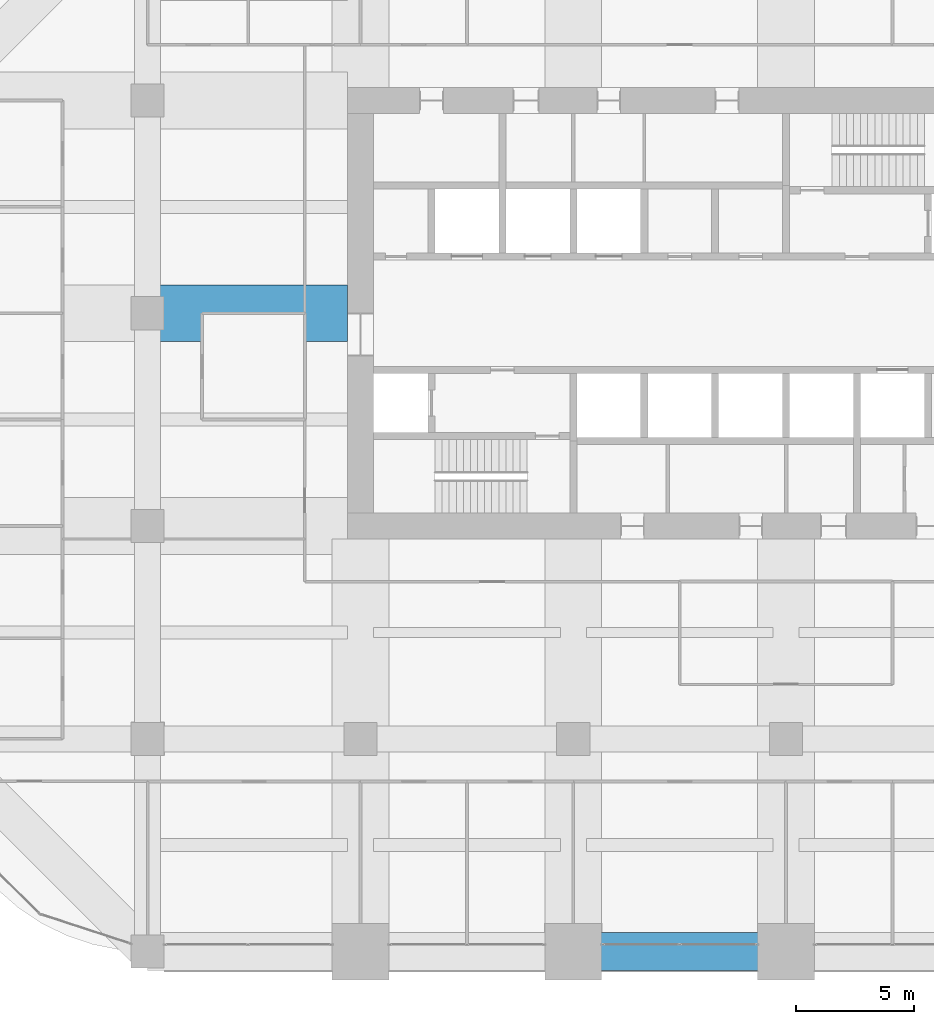
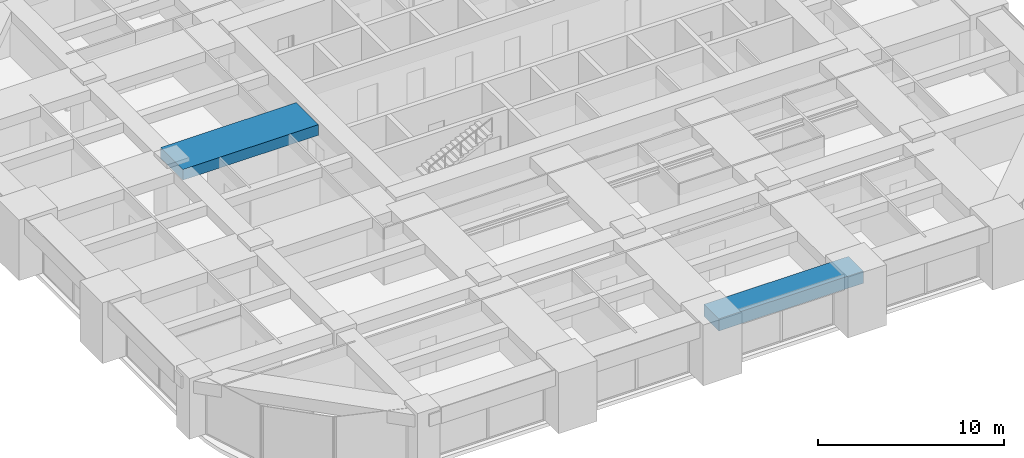
# One storey, part 12 of 35: 2 beams.
"""IFC4 building model written with IfcOpenShell, lengths in metres."""

from ifc_helpers import new_model, si_unit, direction, frame, origin, origin_2d, place, context, subcontext, project, spatial, rectangle, extrude, material, material_profile, profile_set, type_object, element, save


model = new_model("IFC4")

# Units and contexts
model_context = context("Model", 3, precision=1e-05, world=origin(), true_north=direction((0.0, 1.0)))
body_context = subcontext(model_context, "Body", "Model", "MODEL_VIEW")
ifc_project = project(units=[si_unit("LENGTHUNIT", "METRE"), si_unit("AREAUNIT", "SQUARE_METRE"), si_unit("VOLUMEUNIT", "CUBIC_METRE"), si_unit("PLANEANGLEUNIT", "RADIAN"), si_unit("MASSUNIT", "GRAM", prefix="KILO")], contexts=[model_context])

# Site, building, storey
site_placement = place(None, origin())
site = spatial("IfcSite", under=ifc_project, at=site_placement, CompositionType="ELEMENT")
building_placement = place(site_placement, origin())
building = spatial("IfcBuilding", under=site, at=building_placement, Name="Zorevar Civic Tower", CompositionType="ELEMENT")
storey_placement = place(building_placement, frame((0.0, 0.0, 218.199951171875)))
storey = spatial("IfcBuildingStorey", under=building, at=storey_placement, Name="L53", CompositionType="ELEMENT", Elevation=218.199951171875)

# Beams
ifc_material_1 = material(Name="Concrete C50/60", Category="concrete")
ifc_material_profile_1 = material_profile(ifc_material_1, rectangle(XDim=2.39990234375, YDim=0.699951171875, at=origin_2d()), Name="RC 2400x700")
ifc_profile_set_1 = profile_set([ifc_material_profile_1], Name="Concrete C50/60")
beam_type_1 = type_object("IfcBeamType", Name="Beam RC 2400x700", PredefinedType="BEAM", material=ifc_profile_set_1)
beam_1_placement = place(storey_placement, frame((9.0, 27.0, 3.400146484375), z_axis=(1.0, 0.0, 0.0), x_axis=(0.0, 1.0, 0.0)))
element("IfcBeam", 1, at=beam_1_placement, inside=storey, type_object=beam_type_1, Name="Girder L54", PredefinedType="BEAM", context=body_context, shape_type="SweptSolid", body=[
    extrude(rectangle(XDim=2.39990234375, YDim=0.699951171875, at=origin_2d()), origin(), (0.0, 0.0, 1.0), 8.449951171875),
])
ifc_material_2 = material(Name="Concrete C50/60", Category="concrete")
ifc_material_profile_2 = material_profile(ifc_material_2, rectangle(XDim=1.60009765625, YDim=0.800048828125, at=origin_2d()), Name="RC 1600x800")
ifc_profile_set_2 = profile_set([ifc_material_profile_2], Name="Concrete C50/60")
beam_type_2 = type_object("IfcBeamType", Name="Edge beam RC 1600x800", PredefinedType="SPANDREL", material=ifc_profile_set_2)
beam_2_placement = place(storey_placement, frame((27.0, 0.0, 3.35009765625), z_axis=(1.0, 0.0, 0.0), x_axis=(0.0, 1.0, 0.0)))
element("IfcBeam", 2, at=beam_2_placement, inside=storey, type_object=beam_type_2, Name="Edge beam L54", PredefinedType="SPANDREL", context=body_context, shape_type="SweptSolid", body=[
    extrude(rectangle(XDim=1.60009765625, YDim=0.800048828125, at=origin_2d()), origin(), (0.0, 0.0, 1.0), 9.0),
])

save(model, "model.ifc")
